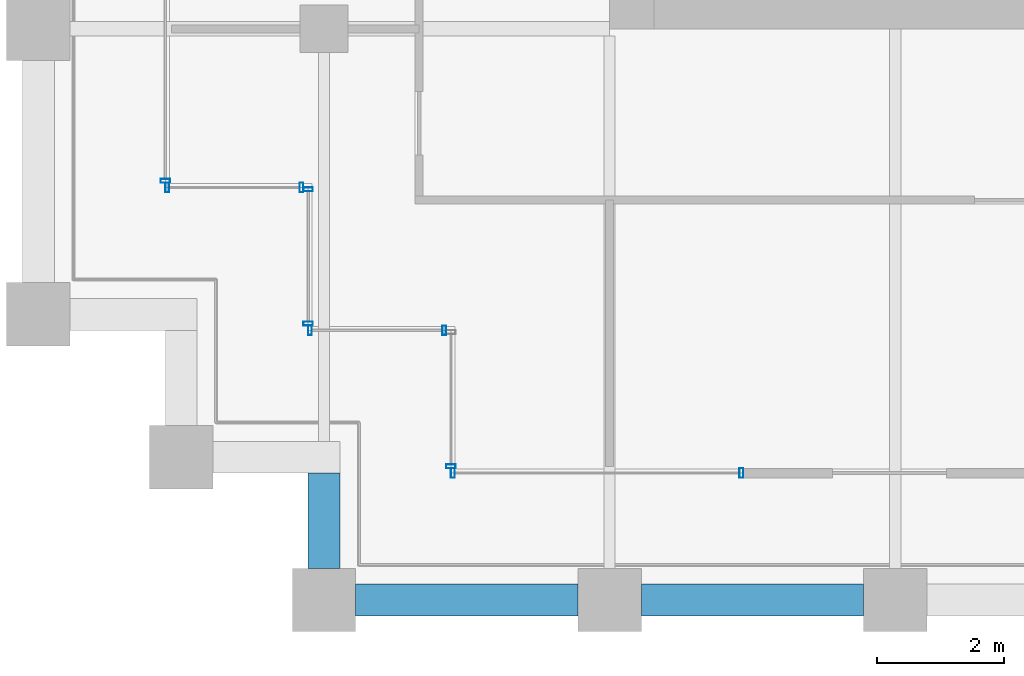
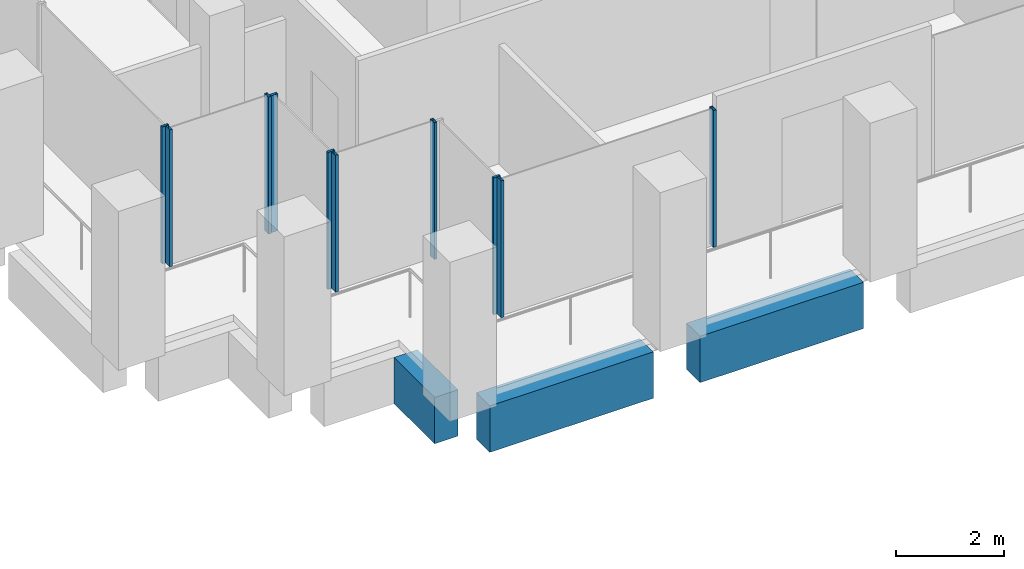
# One storey, part 28 of 46: 10 members, 3 beams, 6 elements without a shape of their own.
"""IFC4 building model written with IfcOpenShell, lengths in metres."""

from ifc_helpers import new_model, si_unit, direction, frame, origin, origin_2d, place, context, subcontext, project, spatial, rectangle, hollow_rectangle, extrude, material, material_profile, profile_set, type_object, element, aggregate, save


model = new_model("IFC4")

# Units and contexts
model_context = context("Model", 3, precision=1e-05, world=origin(), true_north=direction((0.0, 1.0)))
body_context = subcontext(model_context, "Body", "Model", "MODEL_VIEW")
ifc_project = project(units=[si_unit("LENGTHUNIT", "METRE"), si_unit("AREAUNIT", "SQUARE_METRE"), si_unit("VOLUMEUNIT", "CUBIC_METRE"), si_unit("PLANEANGLEUNIT", "RADIAN"), si_unit("MASSUNIT", "GRAM", prefix="KILO")], contexts=[model_context])

# Site, building, storey
site_placement = place(None, origin())
site = spatial("IfcSite", under=ifc_project, at=site_placement, CompositionType="ELEMENT")
building_placement = place(site_placement, origin())
building = spatial("IfcBuilding", under=site, at=building_placement, Name="Altepetl Exchange Towers", CompositionType="ELEMENT")
storey_placement = place(building_placement, frame((0.0, 0.0, 135.199951171875)))
storey = spatial("IfcBuildingStorey", under=building, at=storey_placement, Name="L33", CompositionType="ELEMENT", Elevation=135.199951171875)

# Curtain wall, member
ifc_material_1 = material(Name="Aluminium 6063-T6 glazing", Category="aluminium")
curtain_wall_type = type_object("IfcCurtainWallType", Name="Loggia glazing system", PredefinedType="NOTDEFINED", material=ifc_material_1)
curtain_wall_1_placement = place(storey_placement, origin())
curtain_wall_1 = element("IfcCurtainWall", 1, at=curtain_wall_1_placement, inside=storey, type_object=curtain_wall_type, Name="CW1 run", PredefinedType="NOTDEFINED")
ifc_material_2 = material(Name="Aluminium 6063-T6", Category="aluminium")
ifc_material_profile_1 = material_profile(ifc_material_2, hollow_rectangle(XDim=0.06005859375, YDim=0.14990234375, WallThickness=0.0029296875, at=origin_2d()), Name="Mullion 60x150 aluminium")
ifc_profile_set_1 = profile_set([ifc_material_profile_1], Name="Aluminium 6063-T6")
member_type = type_object("IfcMemberType", Name="Mullion 60x150 aluminium", PredefinedType="MULLION", material=ifc_profile_set_1)
member_1_placement = place(storey_placement, frame((96.5, 33.60498046875, 0.0), z_axis=(0.0, 0.0, 1.0), x_axis=(0.0, -1.0, 0.0)))
member_1 = element("IfcMember", 2, at=member_1_placement, type_object=member_type, Name="MU1 mullion", PredefinedType="MULLION", context=body_context, shape_type="SweptSolid", body=[
    extrude(hollow_rectangle(XDim=0.06005859375, YDim=0.14990234375, WallThickness=0.0029296875, at=origin_2d()), origin(), (0.0, 0.0, 1.0), 3.10009765625),
])
aggregate(curtain_wall_1, [member_1])

# Curtain wall, members
curtain_wall_2_placement = place(storey_placement, origin())
curtain_wall_2 = element("IfcCurtainWall", 3, at=curtain_wall_2_placement, inside=storey, type_object=curtain_wall_type, Name="CW1 run", PredefinedType="NOTDEFINED")
member_2_placement = place(storey_placement, frame((96.530029296875, 33.5, 0.0)))
member_2 = element("IfcMember", 4, at=member_2_placement, type_object=member_type, Name="MU1 mullion", PredefinedType="MULLION", context=body_context, shape_type="SweptSolid", body=[
    extrude(hollow_rectangle(XDim=0.06005859375, YDim=0.14990234375, WallThickness=0.0029296875, at=origin_2d()), origin(), (0.0, 0.0, 1.0), 3.10009765625),
])
member_3_placement = place(storey_placement, frame((98.64501953125, 33.5, 0.0)))
member_3 = element("IfcMember", 5, at=member_3_placement, type_object=member_type, Name="MU1 mullion", PredefinedType="MULLION", context=body_context, shape_type="SweptSolid", body=[
    extrude(hollow_rectangle(XDim=0.06005859375, YDim=0.14990234375, WallThickness=0.0029296875, at=origin_2d()), origin(), (0.0, 0.0, 1.0), 3.10009765625),
])
aggregate(curtain_wall_2, [member_2, member_3])

curtain_wall_3_placement = place(storey_placement, origin())
curtain_wall_3 = element("IfcCurtainWall", 6, at=curtain_wall_3_placement, inside=storey, type_object=curtain_wall_type, Name="CW1 run", PredefinedType="NOTDEFINED")
member_4_placement = place(storey_placement, frame((98.75, 33.469970703125, 0.0), z_axis=(0.0, 0.0, 1.0), x_axis=(0.0, -1.0, 0.0)))
member_4 = element("IfcMember", 7, at=member_4_placement, type_object=member_type, Name="MU1 mullion", PredefinedType="MULLION", context=body_context, shape_type="SweptSolid", body=[
    extrude(hollow_rectangle(XDim=0.06005859375, YDim=0.14990234375, WallThickness=0.0029296875, at=origin_2d()), origin(), (0.0, 0.0, 1.0), 3.10009765625),
])
member_5_placement = place(storey_placement, frame((98.75, 31.35498046875, 0.0), z_axis=(0.0, 0.0, 1.0), x_axis=(0.0, -1.0, 0.0)))
member_5 = element("IfcMember", 8, at=member_5_placement, type_object=member_type, Name="MU1 mullion", PredefinedType="MULLION", context=body_context, shape_type="SweptSolid", body=[
    extrude(hollow_rectangle(XDim=0.06005859375, YDim=0.14990234375, WallThickness=0.0029296875, at=origin_2d()), origin(), (0.0, 0.0, 1.0), 3.10009765625),
])
aggregate(curtain_wall_3, [member_4, member_5])

curtain_wall_4_placement = place(storey_placement, origin())
curtain_wall_4 = element("IfcCurtainWall", 9, at=curtain_wall_4_placement, inside=storey, type_object=curtain_wall_type, Name="CW1 run", PredefinedType="NOTDEFINED")
member_6_placement = place(storey_placement, frame((98.780029296875, 31.25, 0.0)))
member_6 = element("IfcMember", 10, at=member_6_placement, type_object=member_type, Name="MU1 mullion", PredefinedType="MULLION", context=body_context, shape_type="SweptSolid", body=[
    extrude(hollow_rectangle(XDim=0.06005859375, YDim=0.14990234375, WallThickness=0.0029296875, at=origin_2d()), origin(), (0.0, 0.0, 1.0), 3.10009765625),
])
member_7_placement = place(storey_placement, frame((100.89501953125, 31.25, 0.0)))
member_7 = element("IfcMember", 11, at=member_7_placement, type_object=member_type, Name="MU1 mullion", PredefinedType="MULLION", context=body_context, shape_type="SweptSolid", body=[
    extrude(hollow_rectangle(XDim=0.06005859375, YDim=0.14990234375, WallThickness=0.0029296875, at=origin_2d()), origin(), (0.0, 0.0, 1.0), 3.10009765625),
])
aggregate(curtain_wall_4, [member_6, member_7])

# Curtain wall, member
curtain_wall_5_placement = place(storey_placement, origin())
curtain_wall_5 = element("IfcCurtainWall", 12, at=curtain_wall_5_placement, inside=storey, type_object=curtain_wall_type, Name="CW1 run", PredefinedType="NOTDEFINED")
member_8_placement = place(storey_placement, frame((101.0, 29.10498046875, 0.0), z_axis=(0.0, 0.0, 1.0), x_axis=(0.0, -1.0, 0.0)))
member_8 = element("IfcMember", 13, at=member_8_placement, type_object=member_type, Name="MU1 mullion", PredefinedType="MULLION", context=body_context, shape_type="SweptSolid", body=[
    extrude(hollow_rectangle(XDim=0.06005859375, YDim=0.14990234375, WallThickness=0.0029296875, at=origin_2d()), origin(), (0.0, 0.0, 1.0), 3.10009765625),
])
aggregate(curtain_wall_5, [member_8])

# Curtain wall, members
curtain_wall_6_placement = place(storey_placement, origin())
curtain_wall_6 = element("IfcCurtainWall", 14, at=curtain_wall_6_placement, inside=storey, type_object=curtain_wall_type, Name="CW1 run", PredefinedType="NOTDEFINED")
member_9_placement = place(storey_placement, frame((101.030029296875, 29.0, 0.0)))
member_9 = element("IfcMember", 15, at=member_9_placement, type_object=member_type, Name="MU1 mullion", PredefinedType="MULLION", context=body_context, shape_type="SweptSolid", body=[
    extrude(hollow_rectangle(XDim=0.06005859375, YDim=0.14990234375, WallThickness=0.0029296875, at=origin_2d()), origin(), (0.0, 0.0, 1.0), 3.10009765625),
])
member_10_placement = place(storey_placement, frame((105.576171875, 29.0, 0.0)))
member_10 = element("IfcMember", 16, at=member_10_placement, type_object=member_type, Name="MU1 mullion", PredefinedType="MULLION", context=body_context, shape_type="SweptSolid", body=[
    extrude(hollow_rectangle(XDim=0.06005859375, YDim=0.14990234375, WallThickness=0.0029296875, at=origin_2d()), origin(), (0.0, 0.0, 1.0), 3.10009765625),
])
aggregate(curtain_wall_6, [member_9, member_10])

# Beams
ifc_material_3 = material(Name="Concrete C50/60 precast with tezontle facing", Category="concrete")
ifc_material_profile_2 = material_profile(ifc_material_3, rectangle(XDim=0.5, YDim=1.050048828125, at=origin_2d()), Name="500 x 1050")
ifc_profile_set_2 = profile_set([ifc_material_profile_2], Name="Concrete C50/60 precast with tezontle facing")
beam_type = type_object("IfcBeamType", Name="Spandrel beam 500x1050 tezontle", PredefinedType="SPANDREL", material=ifc_profile_set_2)
for number, where, z_axis, x_axis, name in (
    (17, (99.5, 27.0, -0.675048828125), (1.0, 0.0, 0.0), (0.0, 1.0, 0.0), "sp:B:L33:000"),
    (18, (104.0, 27.0, -0.675048828125), (1.0, 0.0, 0.0), (0.0, 1.0, 0.0), "sp:B:L33:001"),
):
    element("IfcBeam", number, at=place(storey_placement, frame(where, z_axis=z_axis, x_axis=x_axis)), inside=storey, type_object=beam_type, Name=name, PredefinedType="SPANDREL", context=body_context, shape_type="SweptSolid", body=[
        extrude(rectangle(XDim=0.5, YDim=1.050048828125, at=origin_2d()), origin(), (0.0, 0.0, 1.0), 3.5),
    ])
beam_placement = place(storey_placement, frame((99.0, 29.0, -0.675048828125), z_axis=(0.0, -1.0, 0.0), x_axis=(1.0, 0.0, 0.0)))
element("IfcBeam", 19, at=beam_placement, inside=storey, type_object=beam_type, Name="sp:B:L33:030", PredefinedType="SPANDREL", context=body_context, shape_type="SweptSolid", body=[
    extrude(rectangle(XDim=0.5, YDim=1.050048828125, at=origin_2d()), origin(), (0.0, 0.0, 1.0), 1.5),
])

save(model, "model.ifc")
